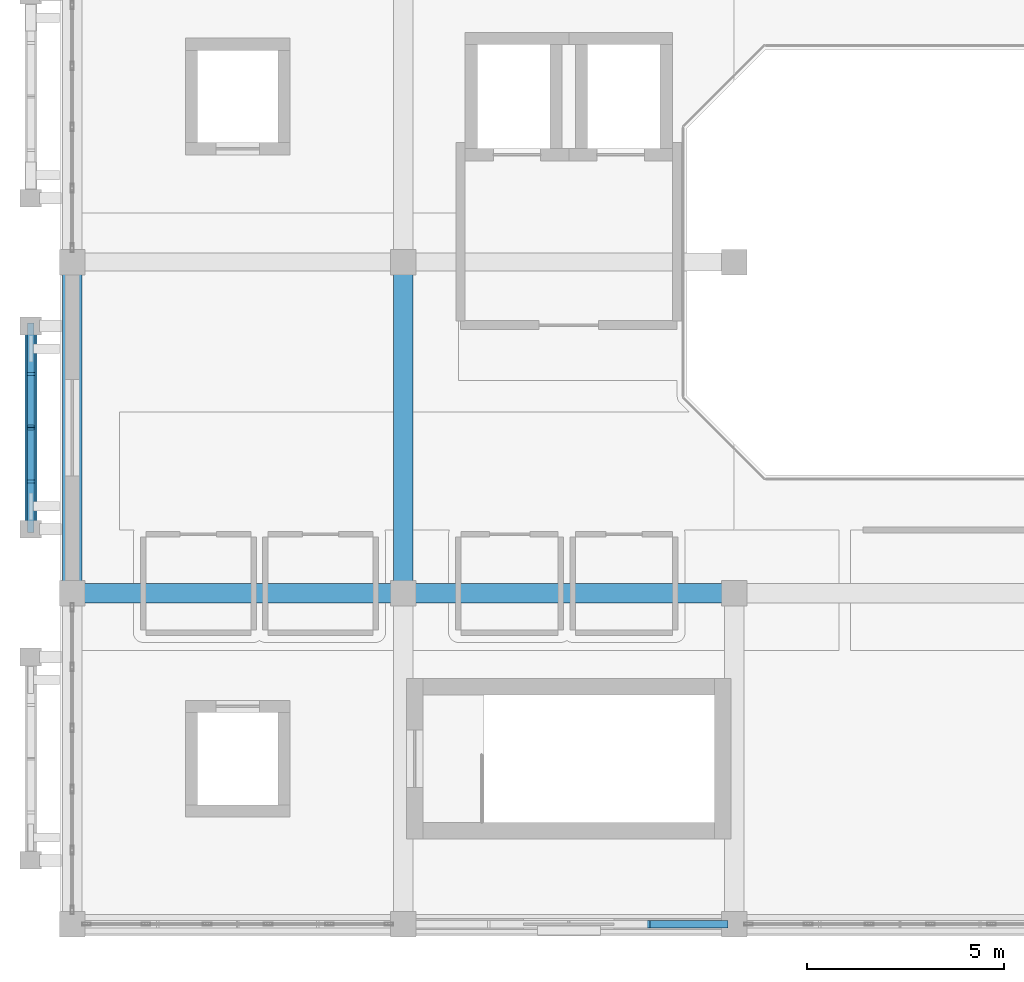
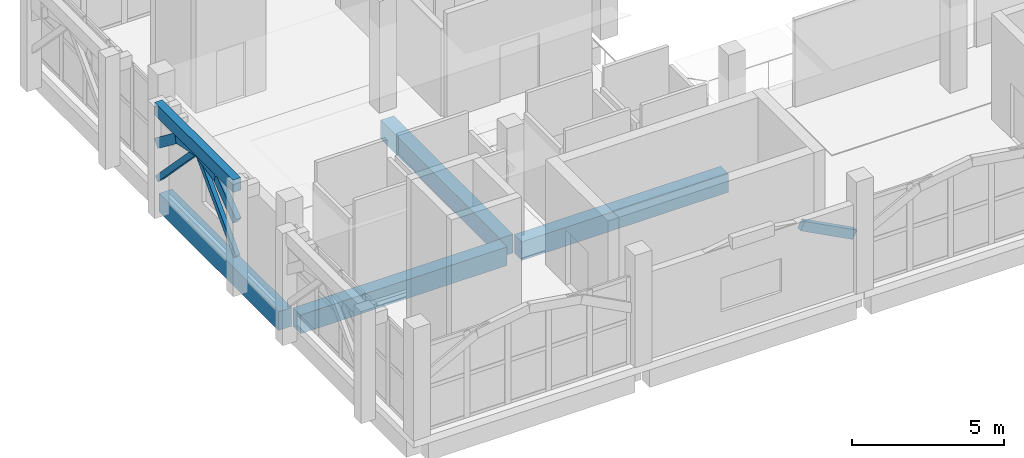
# One storey, part 4 of 16: 7 members, 5 beams.
"""IFC4 building model written with IfcOpenShell, lengths in metres."""

from ifc_helpers import new_model, si_unit, direction, frame, origin, origin_2d, place, context, subcontext, project, spatial, rectangle, extrude, material, material_profile, profile_set, type_object, element, save


model = new_model("IFC4")

# Units and contexts
model_context = context("Model", 3, precision=1e-05, world=origin(), true_north=direction((0.0, 1.0)))
body_context = subcontext(model_context, "Body", "Model", "MODEL_VIEW")
ifc_project = project(units=[si_unit("LENGTHUNIT", "METRE"), si_unit("AREAUNIT", "SQUARE_METRE"), si_unit("VOLUMEUNIT", "CUBIC_METRE"), si_unit("PLANEANGLEUNIT", "RADIAN"), si_unit("MASSUNIT", "GRAM", prefix="KILO")], contexts=[model_context])

# Site, building, storey
site_placement = place(None, origin())
site = spatial("IfcSite", under=ifc_project, at=site_placement, CompositionType="ELEMENT")
building_placement = place(site_placement, origin())
building = spatial("IfcBuilding", under=site, at=building_placement, Name="Xazarin Passage Department Store", CompositionType="ELEMENT")
storey_placement = place(building_placement, frame((0.0, 0.0, 32.39990234375)))
storey = spatial("IfcBuildingStorey", under=building, at=storey_placement, Name="L07", CompositionType="ELEMENT", Elevation=32.39990234375)

# Beams
ifc_material_1 = material(Name="Concrete C35/45", Category="concrete")
ifc_material_profile_1 = material_profile(ifc_material_1, rectangle(XDim=0.300048828125, YDim=0.5, at=origin_2d()), Name="RC 300x500")
ifc_profile_set_1 = profile_set([ifc_material_profile_1], Name="Concrete C35/45")
beam_type_1 = type_object("IfcBeamType", Name="STR-BM-LN300x500", PredefinedType="LINTEL", material=ifc_profile_set_1)
beam_placement = place(storey_placement, frame((-1.050048828125, 86.419921875, 4.25), z_axis=(0.0, 1.0, 0.0), x_axis=(-1.0, 0.0, 0.0)))
element("IfcBeam", 1, at=beam_placement, inside=storey, type_object=beam_type_1, Name="L07 V1 Colonnade Spandrel Beam 012", PredefinedType="LINTEL", context=body_context, shape_type="SweptSolid", body=[
    extrude(rectangle(XDim=0.300048828125, YDim=0.5, at=origin_2d()), origin(), (0.0, 0.0, 1.0), 5.16015625),
])
ifc_material_profile_2 = material_profile(ifc_material_1, rectangle(XDim=0.5, YDim=0.75, at=origin_2d()), Name="RC 500x750")
ifc_profile_set_2 = profile_set([ifc_material_profile_2], Name="Concrete C35/45")
beam_type_2 = type_object("IfcBeamType", Name="STR-BM-SP500x750", PredefinedType="SPANDREL", material=ifc_profile_set_2)
for number, where, z_axis, x_axis, name in (
    (2, (0.280029296875, 84.800048828125, -0.6748046875), (1.0, 0.0, 0.0), (0.0, 1.0, 0.0), "L07 Grid Beam M/1-2"),
    (3, (8.679931640625, 84.800048828125, -0.6748046875), (1.0, 0.0, 0.0), (0.0, 1.0, 0.0), "L07 Grid Beam M/2-3"),
):
    element("IfcBeam", number, at=place(storey_placement, frame(where, z_axis=z_axis, x_axis=x_axis)), inside=storey, type_object=beam_type_2, Name=name, PredefinedType="SPANDREL", context=body_context, shape_type="SweptSolid", body=[
        extrude(rectangle(XDim=0.5, YDim=0.75, at=origin_2d()), origin(), (0.0, 0.0, 1.0), 7.840087890625),
    ])
for number, where, z_axis, x_axis, name in (
    (4, (0.0, 85.080078125, -0.6748046875), (0.0, 1.0, 0.0), (-1.0, 0.0, 0.0), "L07 Grid Beam 1/M-N"),
    (5, (8.39990234375, 85.080078125, -0.6748046875), (0.0, 1.0, 0.0), (-1.0, 0.0, 0.0), "L07 Grid Beam 2/M-N"),
):
    element("IfcBeam", number, at=place(storey_placement, frame(where, z_axis=z_axis, x_axis=x_axis)), inside=storey, type_object=beam_type_2, Name=name, PredefinedType="SPANDREL", context=body_context, shape_type="SweptSolid", body=[
        extrude(rectangle(XDim=0.5, YDim=0.75, at=origin_2d()), origin(), (0.0, 0.0, 1.0), 7.83984375),
    ])

# Members
ifc_material_2 = material(Name="Concrete C40/50", Category="concrete")
ifc_material_profile_3 = material_profile(ifc_material_2, rectangle(XDim=0.199951171875, YDim=0.360107421875, at=origin_2d()), Name="RC 200x360")
ifc_profile_set_3 = profile_set([ifc_material_profile_3], Name="Concrete C40/50")
member_type_1 = type_object("IfcMemberType", Name="STR-MEM-ARC360", PredefinedType="CHORD", material=ifc_profile_set_3)
member_1_placement = place(storey_placement, frame((-1.050048828125, 86.419921875, 2.830078125), z_axis=(0.0, 0.79440903847, 0.607383140692), x_axis=(-1.0, 0.0, 0.0)))
element("IfcMember", 6, at=member_1_placement, inside=storey, type_object=member_type_1, Name="L07 V1 Pierced Lattice Curved Arch 012.1", PredefinedType="CHORD", context=body_context, shape_type="SweptSolid", body=[
    extrude(rectangle(XDim=0.199951171875, YDim=0.360107421875, at=origin_2d()), origin(), (0.0, 0.0, 1.0), 1.623779296875),
])
for number, where, z_axis, x_axis, name in (
    (7, (-1.050048828125, 87.7099609375, 3.81640625), (0.0, 0.979744705887, 0.200250621188), (-1.0, 0.0, 0.0), "L07 V1 Pierced Lattice Curved Arch 012.2"),
    (8, (-1.050048828125, 89.0, 4.080078125), (0.0, 0.979744705887, -0.200250621188), (-1.0, 0.0, 0.0), "L07 V1 Pierced Lattice Curved Arch 012.3"),
):
    element("IfcMember", number, at=place(storey_placement, frame(where, z_axis=z_axis, x_axis=x_axis)), inside=storey, type_object=member_type_1, Name=name, PredefinedType="CHORD", context=body_context, shape_type="SweptSolid", body=[
        extrude(rectangle(XDim=0.199951171875, YDim=0.360107421875, at=origin_2d()), origin(), (0.0, 0.0, 1.0), 1.316650390625),
    ])
member_2_placement = place(storey_placement, frame((-1.050048828125, 90.2900390625, 3.81640625), z_axis=(0.0, 0.79440903847, -0.607383140692), x_axis=(-1.0, 0.0, 0.0)))
element("IfcMember", 9, at=member_2_placement, inside=storey, type_object=member_type_1, Name="L07 V1 Pierced Lattice Curved Arch 012.4", PredefinedType="CHORD", context=body_context, shape_type="SweptSolid", body=[
    extrude(rectangle(XDim=0.199951171875, YDim=0.360107421875, at=origin_2d()), origin(), (0.0, 0.0, 1.0), 1.623779296875),
])
member_3_placement = place(storey_placement, frame((14.574951171875, 76.39990234375, 3.2705078125), z_axis=(0.88473311603, 0.0, -0.466097965454), x_axis=(0.0, 1.0, 0.0)))
element("IfcMember", 10, at=member_3_placement, inside=storey, type_object=member_type_1, Name="L07 V1 Upper Setback Pierced Arch 042.4", PredefinedType="CHORD", context=body_context, shape_type="SweptSolid", body=[
    extrude(rectangle(XDim=0.199951171875, YDim=0.360107421875, at=origin_2d()), origin(), (0.0, 0.0, 1.0), 2.232421875),
])
ifc_material_profile_4 = material_profile(ifc_material_2, rectangle(XDim=0.159912109375, YDim=0.219970703125, at=origin_2d()), Name="RC 160x220")
ifc_profile_set_4 = profile_set([ifc_material_profile_4], Name="Concrete C40/50")
member_type_2 = type_object("IfcMemberType", Name="STR-MEM-TRC220", PredefinedType="CHORD", material=ifc_profile_set_4)
for number, where, z_axis, x_axis, name in (
    (11, (-1.050048828125, 89.0, 4.080078125), (0.0, -0.693558444435, -0.720400363793), (1.0, 0.0, 0.0), "L07 V1 Upper Lattice Tracery Arch 012L"),
    (12, (-1.050048828125, 89.0, 4.080078125), (0.0, 0.693558444435, -0.720400363793), (-1.0, 0.0, 0.0), "L07 V1 Upper Lattice Tracery Arch 012R"),
):
    element("IfcMember", number, at=place(storey_placement, frame(where, z_axis=z_axis, x_axis=x_axis)), inside=storey, type_object=member_type_2, Name=name, PredefinedType="CHORD", context=body_context, shape_type="SweptSolid", body=[
        extrude(rectangle(XDim=0.159912109375, YDim=0.219970703125, at=origin_2d()), origin(), (0.0, 0.0, 1.0), 3.719970703125),
    ])

save(model, "model.ifc")
